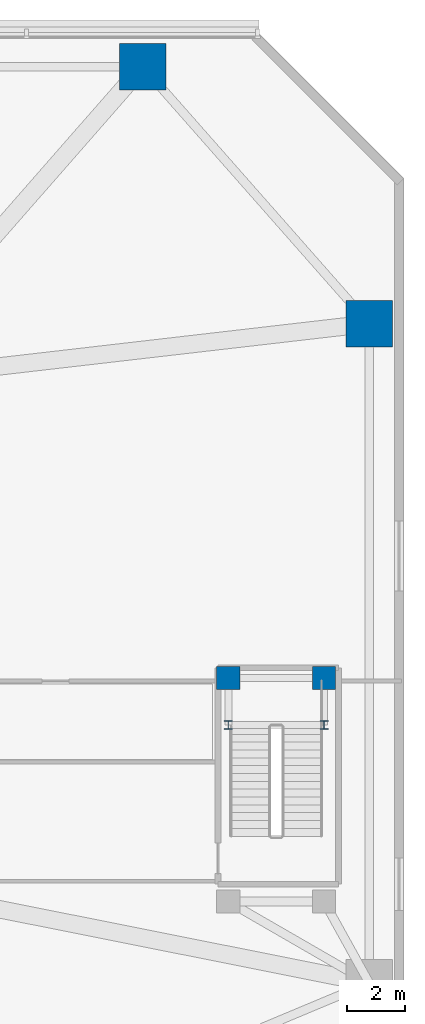
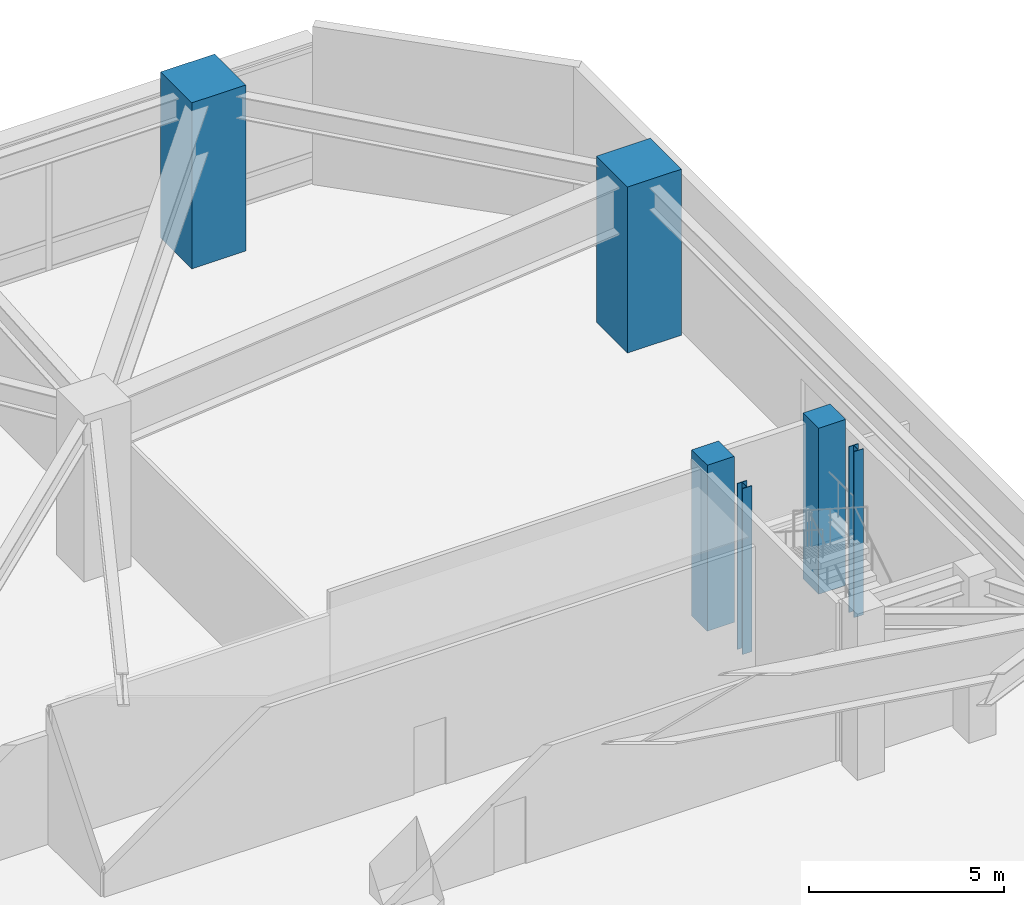
# One storey, part 4 of 27: 6 columns.
"""IFC4 building model written with IfcOpenShell, lengths in metres."""

from ifc_helpers import new_model, si_unit, direction, frame, origin, origin_2d, place, context, subcontext, project, spatial, rectangle, i_section, extrude, material, material_profile, profile_set, type_object, element, save


model = new_model("IFC4")

# Units and contexts
model_context = context("Model", 3, precision=1e-05, world=origin(), true_north=direction((0.0, 1.0)))
body_context = subcontext(model_context, "Body", "Model", "MODEL_VIEW")
ifc_project = project(units=[si_unit("LENGTHUNIT", "METRE"), si_unit("AREAUNIT", "SQUARE_METRE"), si_unit("VOLUMEUNIT", "CUBIC_METRE"), si_unit("PLANEANGLEUNIT", "RADIAN"), si_unit("MASSUNIT", "GRAM", prefix="KILO")], contexts=[model_context])

# Site, building, storey
site_placement = place(None, origin())
site = spatial("IfcSite", under=ifc_project, at=site_placement, CompositionType="ELEMENT")
building_placement = place(site_placement, origin())
building = spatial("IfcBuilding", under=site, at=building_placement, Name="Terralouvre Media Tower", CompositionType="ELEMENT")
storey_placement = place(building_placement, frame((0.0, 0.0, 15.60009765625)))
storey = spatial("IfcBuildingStorey", under=building, at=storey_placement, Name="L03", CompositionType="ELEMENT", Elevation=15.60009765625)

# Columns
ifc_material_1 = material(Name="Structural steel S355J2", Category="steel")
ifc_material_profile_1 = material_profile(ifc_material_1, i_section(OverallWidth=0.280029296875, OverallDepth=0.280029296875, WebThickness=0.010498046875, FlangeThickness=0.01806640625, at=origin_2d()), Name="HEB 280")
ifc_profile_set_1 = profile_set([ifc_material_profile_1], Name="Structural steel S355J2")
column_type_1 = type_object("IfcColumnType", Name="Basement Aisle Pilaster PL-HEB280 (HEB 280)", PredefinedType="PILASTER", material=ifc_profile_set_1)
for number, where, z_axis, x_axis, name in (
    (1, (30.949951171875, 9.679931640625, 0.0), (0.0, 0.0, 1.0), (1.0, 0.0, 0.0), "L03 Stair Half-Landing Post ST4CLP1"),
    (2, (34.25, 9.679931640625, 0.0), (0.0, 0.0, 1.0), (1.0, 0.0, 0.0), "L03 Stair Half-Landing Post ST4CLP2"),
):
    element("IfcColumn", number, at=place(storey_placement, frame(where, z_axis=z_axis, x_axis=x_axis)), inside=storey, type_object=column_type_1, Name=name, PredefinedType="PILASTER", context=body_context, shape_type="SweptSolid", body=[
        extrude(i_section(OverallWidth=0.280029296875, OverallDepth=0.280029296875, WebThickness=0.010498046875, FlangeThickness=0.01806640625, at=origin_2d()), origin(), (0.0, 0.0, 1.0), 5.199951171875),
    ])
ifc_material_2 = material(Name="Concrete C60/75", Category="concrete")
ifc_material_profile_2 = material_profile(ifc_material_2, rectangle(XDim=1.60009765625, YDim=1.60009765625, at=origin_2d()), Name="RC 1600x1600")
ifc_profile_set_2 = profile_set([ifc_material_profile_2], Name="Concrete C60/75")
column_type_2 = type_object("IfcColumnType", Name="Structural Column C-RC1600 (RC 1600x1600)", PredefinedType="COLUMN", material=ifc_profile_set_2)
for number, where, z_axis, x_axis, name in (
    (3, (35.800048828125, 23.5, 0.0), (0.0, 0.0, 1.0), (1.0, 0.0, 0.0), "L03 Perimeter Mega-Column PM09"),
    (4, (28.0, 32.35009765625, 0.0), (0.0, 0.0, 1.0), (1.0, 0.0, 0.0), "L03 Perimeter Mega-Column PM10"),
):
    element("IfcColumn", number, at=place(storey_placement, frame(where, z_axis=z_axis, x_axis=x_axis)), inside=storey, type_object=column_type_2, Name=name, PredefinedType="COLUMN", context=body_context, shape_type="SweptSolid", body=[
        extrude(rectangle(XDim=1.60009765625, YDim=1.60009765625, at=origin_2d()), origin(), (0.0, 0.0, 1.0), 5.199951171875),
    ])
ifc_material_3 = material(Name="Concrete C50/60", Category="concrete")
ifc_material_profile_3 = material_profile(ifc_material_3, rectangle(XDim=0.800048828125, YDim=0.800048828125, at=origin_2d()), Name="RC 800x800")
ifc_profile_set_3 = profile_set([ifc_material_profile_3], Name="Concrete C50/60")
column_type_3 = type_object("IfcColumnType", Name="Structural Column C-RC800 (RC 800x800)", PredefinedType="COLUMN", material=ifc_profile_set_3)
for number, where, z_axis, x_axis, name in (
    (5, (34.25, 11.300048828125, 0.0), (0.0, 0.0, 1.0), (1.0, 0.0, 0.0), "L03 Stair Pavilion Support Column ST4C3"),
    (6, (30.949951171875, 11.300048828125, 0.0), (0.0, 0.0, 1.0), (1.0, 0.0, 0.0), "L03 Stair Pavilion Support Column ST4C4"),
):
    element("IfcColumn", number, at=place(storey_placement, frame(where, z_axis=z_axis, x_axis=x_axis)), inside=storey, type_object=column_type_3, Name=name, PredefinedType="COLUMN", context=body_context, shape_type="SweptSolid", body=[
        extrude(rectangle(XDim=0.800048828125, YDim=0.800048828125, at=origin_2d()), origin(), (0.0, 0.0, 1.0), 5.199951171875),
    ])

save(model, "model.ifc")
